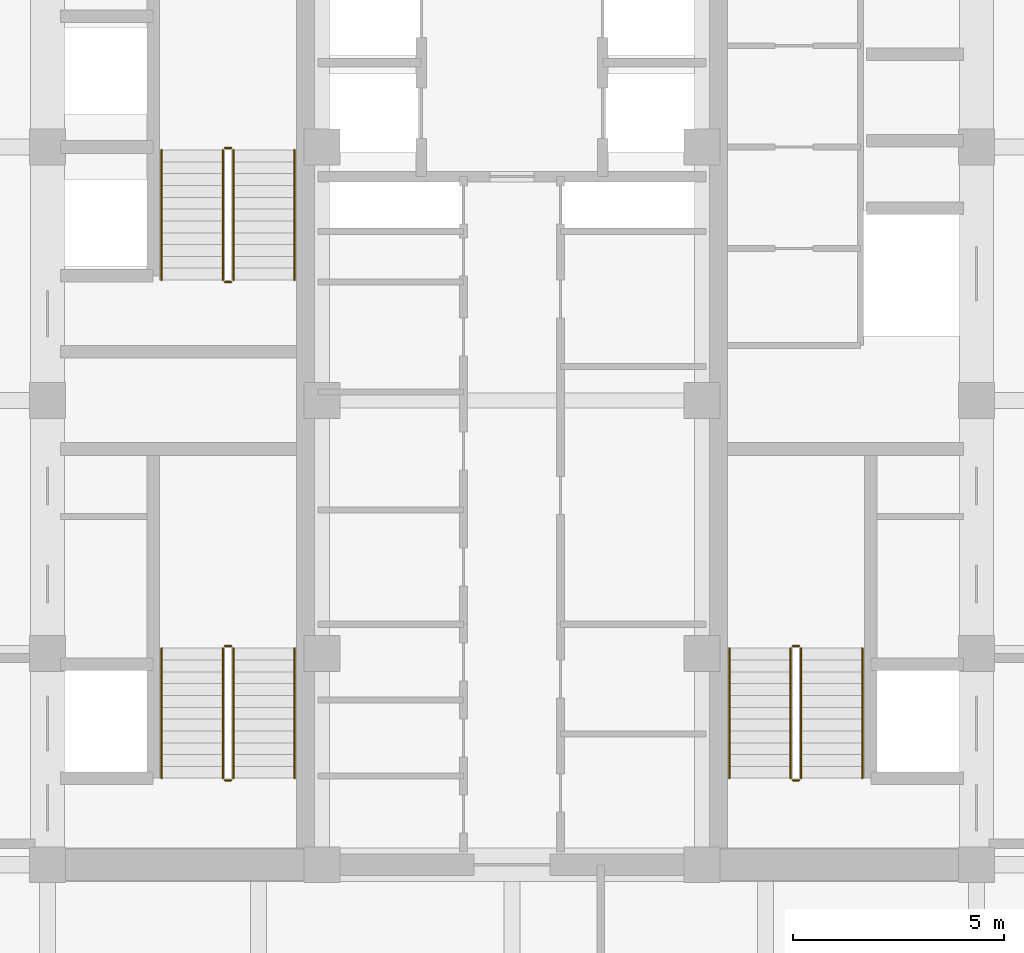
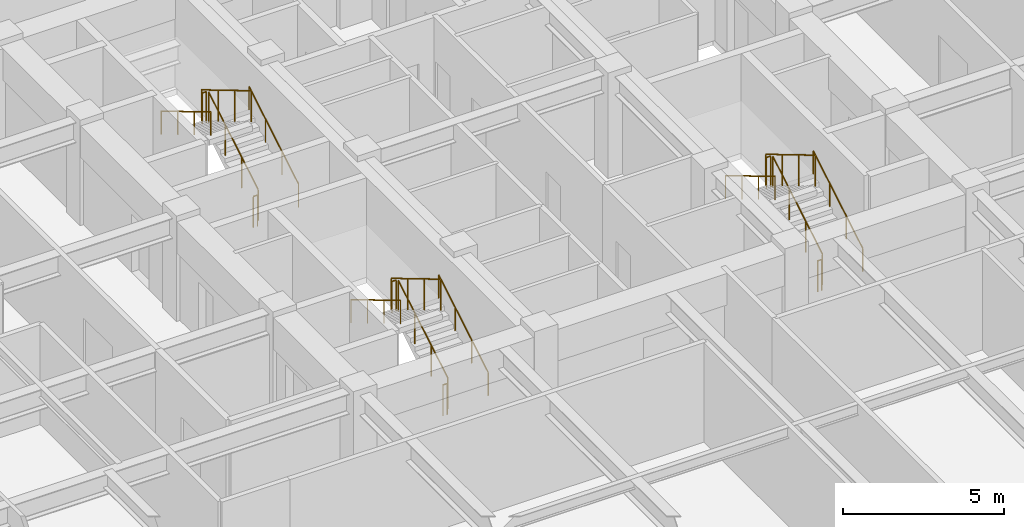
# One storey, part 25 of 25: 18 railings.
"""IFC4 building model written with IfcOpenShell, lengths in metres."""

from ifc_helpers import new_model, si_unit, direction, frame, origin, origin_2d, place, context, subcontext, project, spatial, circle, extrude, source, transform, mapped, material, type_object, element, save


model = new_model("IFC4")

# Units and contexts
model_context = context("Model", 3, precision=1e-05, world=origin(), true_north=direction((0.0, 1.0)))
body_context = subcontext(model_context, "Body", "Model", "MODEL_VIEW")
ifc_project = project(units=[si_unit("LENGTHUNIT", "METRE"), si_unit("AREAUNIT", "SQUARE_METRE"), si_unit("VOLUMEUNIT", "CUBIC_METRE"), si_unit("PLANEANGLEUNIT", "RADIAN"), si_unit("MASSUNIT", "GRAM", prefix="KILO")], contexts=[model_context])

# Site, building, storey
site_placement = place(None, origin())
site = spatial("IfcSite", under=ifc_project, at=site_placement, CompositionType="ELEMENT")
building_placement = place(site_placement, origin())
building = spatial("IfcBuilding", under=site, at=building_placement, Name="Khorayat Bourse Tower", CompositionType="ELEMENT")
storey_placement = place(building_placement, frame((0.0, 0.0, 199.10009765625)))
storey = spatial("IfcBuildingStorey", under=building, at=storey_placement, Name="L46", CompositionType="ELEMENT", Elevation=199.10009765625)

# Railings
ifc_material_1 = material(Name="Powder-coated steel balustrade", Category="steel")
railing_type_1 = type_object("IfcRailingType", Name="RLG-GUARD-1200", PredefinedType="GUARDRAIL", material=ifc_material_1)
shared_shape_1 = source(origin(), body_context, "Body", "SweptSolid", [
    extrude(circle(Radius=0.02392578125, at=origin_2d()), frame((0.0, 0.0, 1.17578125), z_axis=(-1.0, 0.0, 0.0), x_axis=(0.0, -1.0, 0.0)), (0.0, 0.0, 1.0), 0.150146484375),
    extrude(circle(Radius=0.02099609375, at=origin_2d()), origin(), (0.0, 0.0, 1.0), 1.15185546875),
    extrude(circle(Radius=0.02099609375, at=origin_2d()), frame((-0.150146484375, 0.0, 0.0)), (0.0, 0.0, 1.0), 1.15185546875),
])
for number, where, name in (
    (1, (-6.64990234375, -5.820068359375, 2.0), "L46 ST-1 stair guard 2"),
    (2, (-6.64990234375, -9.0, 0.0), "L46 ST-1 stair guard 4"),
    (3, (-6.64990234375, 5.97998046875, 2.0), "L46 ST-2 stair guard 2"),
    (4, (-6.64990234375, 2.800048828125, 0.0), "L46 ST-2 stair guard 4"),
    (5, (6.800048828125, -5.820068359375, 2.0), "L46 ST-3 stair guard 2"),
    (6, (6.800048828125, -9.0, 0.0), "L46 ST-3 stair guard 4"),
):
    element("IfcRailing", number, at=place(storey_placement, frame(where)), inside=storey, type_object=railing_type_1, Name=name, PredefinedType="GUARDRAIL", context=body_context, shape_type="MappedRepresentation", body=[
        mapped(shared_shape_1, transform((0.0, 0.0, 0.0), scale=1.0)),
    ])
shared_shape_2 = source(origin(), body_context, "Body", "SweptSolid", [
    extrude(circle(Radius=0.02392578125, at=origin_2d()), frame((0.0, 0.0, 1.17578125), z_axis=(0.0, 0.859260807169, 0.511537745687), x_axis=(-1.0, 0.0, 0.0)), (0.0, 0.0, 1.0), 3.584228515625),
    extrude(circle(Radius=0.02099609375, at=origin_2d()), origin(), (0.0, 0.0, 1.0), 1.15185546875),
    extrude(circle(Radius=0.02099609375, at=origin_2d()), frame((0.0, 1.026611328125, 0.611083984375)), (0.0, 0.0, 1.0), 1.15185546875),
    extrude(circle(Radius=0.02099609375, at=origin_2d()), frame((0.0, 2.05322265625, 1.222412109375)), (0.0, 0.0, 1.0), 1.15185546875),
    extrude(circle(Radius=0.02099609375, at=origin_2d()), frame((0.0, 3.079833984375, 1.83349609375)), (0.0, 0.0, 1.0), 1.15185546875),
])
for number, where, name in (
    (7, (-6.60009765625, -8.949951171875, 0.16650390625), "L46 ST-1 stair guard 1"),
    (8, (-6.60009765625, 2.85009765625, 0.16650390625), "L46 ST-2 stair guard 1"),
    (9, (6.85009765625, -8.949951171875, 0.16650390625), "L46 ST-3 stair guard 1"),
):
    element("IfcRailing", number, at=place(storey_placement, frame(where)), inside=storey, type_object=railing_type_1, Name=name, PredefinedType="GUARDRAIL", context=body_context, shape_type="MappedRepresentation", body=[
        mapped(shared_shape_2, transform((0.0, 0.0, 0.0), scale=1.0)),
    ])
shared_shape_3 = source(origin(), body_context, "Body", "SweptSolid", [
    extrude(circle(Radius=0.02392578125, at=origin_2d()), frame((0.0, 0.0, 1.17578125), z_axis=(0.0, -0.859260807169, 0.511537745687), x_axis=(1.0, 0.0, 0.0)), (0.0, 0.0, 1.0), 3.584228515625),
    extrude(circle(Radius=0.02099609375, at=origin_2d()), origin(), (0.0, 0.0, 1.0), 1.15185546875),
    extrude(circle(Radius=0.02099609375, at=origin_2d()), frame((0.0, -1.026611328125, 0.611083984375)), (0.0, 0.0, 1.0), 1.15185546875),
    extrude(circle(Radius=0.02099609375, at=origin_2d()), frame((0.0, -2.05322265625, 1.222412109375)), (0.0, 0.0, 1.0), 1.15185546875),
    extrude(circle(Radius=0.02099609375, at=origin_2d()), frame((0.0, -3.079833984375, 1.83349609375)), (0.0, 0.0, 1.0), 1.15185546875),
])
for number, where, name in (
    (10, (-6.85009765625, -5.8701171875, 2.16650390625), "L46 ST-1 stair guard 3"),
    (11, (-6.85009765625, 5.929931640625, 2.16650390625), "L46 ST-2 stair guard 3"),
    (12, (6.60009765625, -5.8701171875, 2.16650390625), "L46 ST-3 stair guard 3"),
):
    element("IfcRailing", number, at=place(storey_placement, frame(where)), inside=storey, type_object=railing_type_1, Name=name, PredefinedType="GUARDRAIL", context=body_context, shape_type="MappedRepresentation", body=[
        mapped(shared_shape_3, transform((0.0, 0.0, 0.0), scale=1.0)),
    ])
ifc_material_2 = material(Name="Brushed bronze stainless-steel handrail", Category="steel")
railing_type_2 = type_object("IfcRailingType", Name="RLG-HAND-900", PredefinedType="HANDRAIL", material=ifc_material_2)
shared_shape_4 = source(origin(), body_context, "Body", "SweptSolid", [
    extrude(circle(Radius=0.02392578125, at=origin_2d()), frame((0.0, 0.0, 0.8759765625), z_axis=(0.0, 0.859260807169, 0.511537745687), x_axis=(-1.0, 0.0, 0.0)), (0.0, 0.0, 1.0), 3.584228515625),
    extrude(circle(Radius=0.02099609375, at=origin_2d()), origin(), (0.0, 0.0, 1.0), 0.851806640625),
    extrude(circle(Radius=0.02099609375, at=origin_2d()), frame((0.0, 1.026611328125, 0.611083984375)), (0.0, 0.0, 1.0), 0.851806640625),
    extrude(circle(Radius=0.02099609375, at=origin_2d()), frame((0.0, 2.05322265625, 1.222412109375)), (0.0, 0.0, 1.0), 0.851806640625),
    extrude(circle(Radius=0.02099609375, at=origin_2d()), frame((0.0, 3.079833984375, 1.83349609375)), (0.0, 0.0, 1.0), 0.851806640625),
])
for number, where, name in (
    (13, (-5.14990234375, -8.949951171875, 0.16650390625), "L46 ST-1 stair handrail 1"),
    (14, (-5.14990234375, 2.85009765625, 0.16650390625), "L46 ST-2 stair handrail 1"),
    (15, (8.300048828125, -8.949951171875, 0.16650390625), "L46 ST-3 stair handrail 1"),
):
    element("IfcRailing", number, at=place(storey_placement, frame(where)), inside=storey, type_object=railing_type_2, Name=name, PredefinedType="HANDRAIL", context=body_context, shape_type="MappedRepresentation", body=[
        mapped(shared_shape_4, transform((0.0, 0.0, 0.0), scale=1.0)),
    ])
shared_shape_5 = source(origin(), body_context, "Body", "SweptSolid", [
    extrude(circle(Radius=0.02392578125, at=origin_2d()), frame((0.0, 0.0, 0.8759765625), z_axis=(0.0, -0.859260807169, 0.511537745687), x_axis=(1.0, 0.0, 0.0)), (0.0, 0.0, 1.0), 3.584228515625),
    extrude(circle(Radius=0.02099609375, at=origin_2d()), origin(), (0.0, 0.0, 1.0), 0.851806640625),
    extrude(circle(Radius=0.02099609375, at=origin_2d()), frame((0.0, -1.026611328125, 0.611083984375)), (0.0, 0.0, 1.0), 0.851806640625),
    extrude(circle(Radius=0.02099609375, at=origin_2d()), frame((0.0, -2.05322265625, 1.222412109375)), (0.0, 0.0, 1.0), 0.851806640625),
    extrude(circle(Radius=0.02099609375, at=origin_2d()), frame((0.0, -3.079833984375, 1.83349609375)), (0.0, 0.0, 1.0), 0.851806640625),
])
for number, where, name in (
    (16, (-8.300048828125, -5.8701171875, 2.16650390625), "L46 ST-1 stair handrail 2"),
    (17, (-8.300048828125, 5.929931640625, 2.16650390625), "L46 ST-2 stair handrail 2"),
    (18, (5.14990234375, -5.8701171875, 2.16650390625), "L46 ST-3 stair handrail 2"),
):
    element("IfcRailing", number, at=place(storey_placement, frame(where)), inside=storey, type_object=railing_type_2, Name=name, PredefinedType="HANDRAIL", context=body_context, shape_type="MappedRepresentation", body=[
        mapped(shared_shape_5, transform((0.0, 0.0, 0.0), scale=1.0)),
    ])

save(model, "model.ifc")
